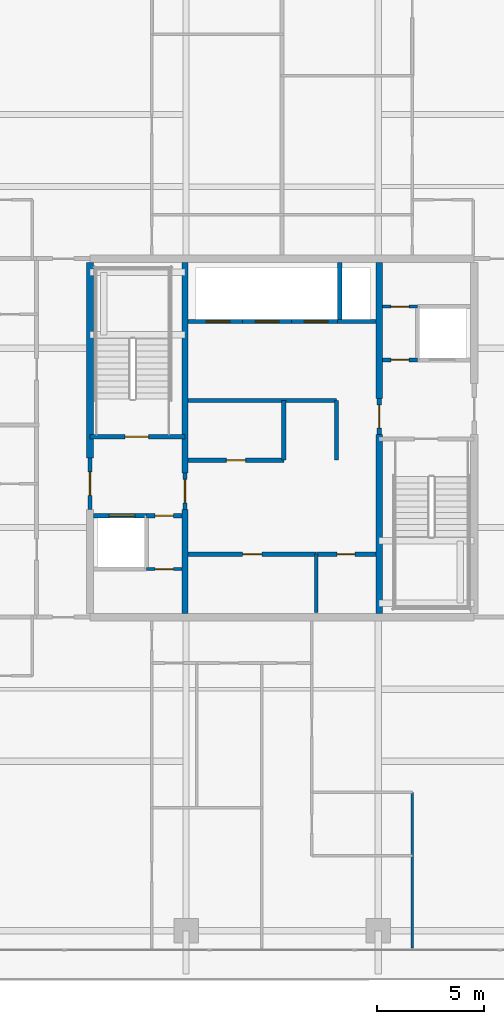
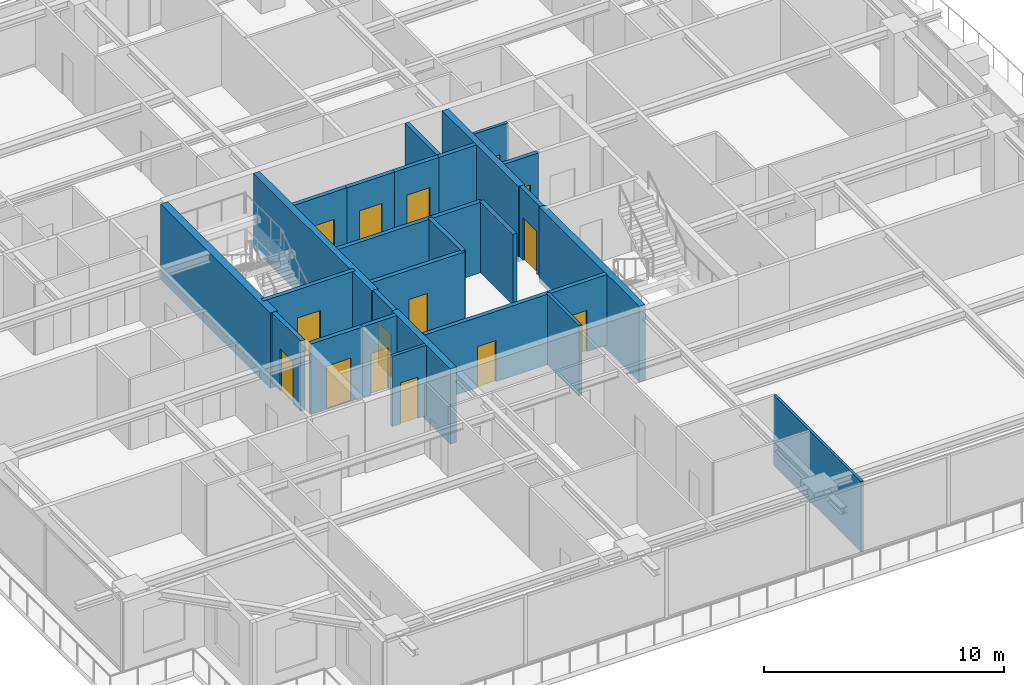
# One storey, part 27 of 37: 27 walls, 15 doors, 15 openings.
"""IFC4 building model written with IfcOpenShell, lengths in metres."""

import ifcopenshell
import ifcopenshell.guid

model = None  # the IFC model being written
_history = None  # IfcOwnerHistory: only IFC2X3 demands one
_inside = {}  # id of a spatial element -> (the spatial element, [elements in it])
_under = {}  # id of a project, library or spatial element -> (it, [spatial elements below it])
_declared = {}  # id of a project -> (the project, [libraries it declares])
_typed = {}  # id of a type object -> (the type object, [elements of that type])
_made_of = {}  # id of a material, layer set ... -> (it, [elements and type objects made of it])


def new_model(schema):
    """Start an empty IFC model of exactly this schema.

    Asked for "IFC4X3", IfcOpenShell would pick the latest addendum, in which some entities
    have other attributes; the version numbers below select the first issue.
    IFC2X3 requires an IfcOwnerHistory on every rooted entity: one is made here for all.
    """
    global model, _history
    if schema == "IFC4X3":
        model = ifcopenshell.file(schema_version=(4, 3, 0, 0))
    else:
        model = ifcopenshell.file(schema=schema)
    _inside.clear()
    _under.clear()
    _declared.clear()
    _typed.clear()
    _made_of.clear()
    _history = None
    if model.schema == "IFC2X3":
        org = make("IfcOrganization", Name="unknown")
        user = make(
            "IfcPersonAndOrganization",
            ThePerson=make("IfcPerson", FamilyName="unknown"),
            TheOrganization=org,
        )
        app = make(
            "IfcApplication",
            ApplicationDeveloper=org,
            Version="unknown",
            ApplicationFullName="unknown",
            ApplicationIdentifier="unknown",
        )
        _history = make(
            "IfcOwnerHistory",
            OwningUser=user,
            OwningApplication=app,
            ChangeAction="ADDED",
            CreationDate=0,
        )
    return model


def make(cls, **values):
    """One entity of the class cls with the attributes given. An attribute that is None is left unset."""
    return model.create_entity(
        cls, **{name: value for name, value in values.items() if value is not None}
    )


def rooted(cls, **values):
    """An entity with a GlobalId (a new one), such as an element, a storey or a relation."""
    return make(cls, GlobalId=ifcopenshell.guid.new(), OwnerHistory=_history, **values)


def si_unit(unit_type, name, prefix=None):
    """IfcSIUnit, for example si_unit("LENGTHUNIT", "METRE", prefix="MILLI")."""
    return make("IfcSIUnit", UnitType=unit_type, Prefix=prefix, Name=name)


def assignment(units):
    """IfcUnitAssignment: the units of a project."""
    return None if units is None else make("IfcUnitAssignment", Units=units)


def point(xyz):
    """IfcCartesianPoint."""
    return None if xyz is None else make("IfcCartesianPoint", Coordinates=xyz)


def direction(xyz):
    """IfcDirection."""
    return None if xyz is None else make("IfcDirection", DirectionRatios=xyz)


def frame(location, z_axis=None, x_axis=None):
    """IfcAxis2Placement3D, a coordinate frame: its origin and axes. An axis left out is left unset."""
    return make(
        "IfcAxis2Placement3D",
        Location=point(location),
        Axis=direction(z_axis),
        RefDirection=direction(x_axis),
    )


def frame_2d(location, x_axis=None):
    """IfcAxis2Placement2D, a coordinate frame in the plane: its origin and x axis."""
    return make(
        "IfcAxis2Placement2D", Location=point(location), RefDirection=direction(x_axis)
    )


def origin():
    """The frame at (0, 0, 0) with its axes left unset."""
    return frame((0.0, 0.0, 0.0))


def place(relative_to, where):
    """IfcLocalPlacement: puts the frame where relative to a parent placement (None: the world)."""
    return make(
        "IfcLocalPlacement", PlacementRelTo=relative_to, RelativePlacement=where
    )


def context(
    kind, dimensions, precision=None, world=None, true_north=None, identifier=None
):
    """IfcGeometricRepresentationContext, for example the 3D "Model" context."""
    return make(
        "IfcGeometricRepresentationContext",
        ContextIdentifier=identifier,
        ContextType=kind,
        CoordinateSpaceDimension=dimensions,
        Precision=precision,
        WorldCoordinateSystem=world,
        TrueNorth=true_north,
    )


def subcontext(parent, identifier, kind, view, scale=None):
    """IfcGeometricRepresentationSubContext, for example "Body" below "Model"."""
    return make(
        "IfcGeometricRepresentationSubContext",
        ContextIdentifier=identifier,
        ContextType=kind,
        ParentContext=parent,
        TargetScale=scale,
        TargetView=view,
    )


def project(units=None, contexts=None):
    """IfcProject with its units and contexts."""
    return rooted(
        "IfcProject",
        Name="project",
        RepresentationContexts=contexts,
        UnitsInContext=assignment(units),
    )


def spatial(cls, under=None, at=None, **own):
    """A site, building, storey or space (cls), placed at a placement, below another one or the project."""
    s = rooted(cls, ObjectPlacement=at, **own)
    if under is not None:
        _under.setdefault(under.id(), (under, []))[1].append(s)
    return s


def profile(cls, at=None, kind="AREA", **sizes):
    """A parametric profile (cls). Its sizes go by their IFC names, for example OverallWidth=200.0."""
    return make(cls, ProfileType=kind, Position=at, **sizes)


def rectangle(**sizes):
    """IfcRectangleProfileDef."""
    return profile("IfcRectangleProfileDef", **sizes)


def extrude(swept, where, along, depth):
    """IfcExtrudedAreaSolid: the profile swept, set in the frame where, extruded along a direction by depth."""
    return make(
        "IfcExtrudedAreaSolid",
        SweptArea=swept,
        Position=where,
        ExtrudedDirection=direction(along),
        Depth=depth,
    )


def shape(context_of_items, identifier, shape_type, items):
    """IfcShapeRepresentation: the items that make up one representation, for example the "Body"."""
    return make(
        "IfcShapeRepresentation",
        ContextOfItems=context_of_items,
        RepresentationIdentifier=identifier,
        RepresentationType=shape_type,
        Items=items,
    )


def source(mapping_origin, context_of_items, identifier, shape_type, items):
    """IfcRepresentationMap: a shape defined once, which mapped items show again and again."""
    return make(
        "IfcRepresentationMap",
        MappingOrigin=mapping_origin,
        MappedRepresentation=shape(context_of_items, identifier, shape_type, items),
    )


def transform(
    local_origin,
    x_axis=None,
    y_axis=None,
    z_axis=None,
    scale=None,
    scale2=None,
    scale3=None,
    uniform=True,
):
    """IfcCartesianTransformationOperator3D, or its non-uniform kind. x_axis, y_axis, z_axis: its Axis1, 2, 3."""
    if uniform:
        return make(
            "IfcCartesianTransformationOperator3D",
            Axis1=direction(x_axis),
            Axis2=direction(y_axis),
            LocalOrigin=point(local_origin),
            Scale=scale,
            Axis3=direction(z_axis),
        )
    return make(
        "IfcCartesianTransformationOperator3DnonUniform",
        Axis1=direction(x_axis),
        Axis2=direction(y_axis),
        LocalOrigin=point(local_origin),
        Scale=scale,
        Axis3=direction(z_axis),
        Scale2=scale2,
        Scale3=scale3,
    )


def mapped(mapping_source, mapping_target):
    """IfcMappedItem: shows the shape of a source again, moved by a transform."""
    return make(
        "IfcMappedItem", MappingSource=mapping_source, MappingTarget=mapping_target
    )


def material(Name=None, Category=None):
    """IfcMaterial."""
    return make("IfcMaterial", Name=Name, Category=Category)


def layer(
    of_material, thickness, ventilated=None, Name=None, Category=None, Priority=None
):
    """IfcMaterialLayer: one layer of a wall or slab, of a material (None: an air gap)."""
    return make(
        "IfcMaterialLayer",
        Material=of_material,
        LayerThickness=thickness,
        IsVentilated=ventilated,
        Name=Name,
        Category=Category,
        Priority=Priority,
    )


def layer_set(layers, Name=None):
    """IfcMaterialLayerSet."""
    return make("IfcMaterialLayerSet", MaterialLayers=layers, LayerSetName=Name)


def made_of(thing, what):
    """Note that an element or type object is made of a material, layer set ...; save() writes the relation."""
    if what is not None:
        _made_of.setdefault(what.id(), (what, []))[1].append(thing)
    return thing


def type_object(cls, material=None, **own):
    """A type object (cls), such as IfcWallType, which elements share."""
    return made_of(rooted(cls, **own), material)


def element(
    cls,
    number,
    at=None,
    inside=None,
    cuts=None,
    type_object=None,
    material=None,
    context=None,
    identifier="Body",
    shape_type=None,
    held_by="IfcProductDefinitionShape",
    body=None,
    shapes=None,
    **own,
):
    """One element of the class cls, such as IfcWall. Its Tag is "e" and its number.

    at: its placement. inside: the storey or other place that contains it. cuts: it is an
    opening in that element (IfcRelVoidsElement). A single representation is given by context,
    identifier, shape_type and body (its items); several are given by shapes. held_by: the class
    of the entity that holds the representations. save() writes the other relations.
    """
    e = rooted(cls, Tag="e%d" % number, ObjectPlacement=at, **own)
    if body is not None:
        shapes = [shape(context, identifier, shape_type, body)]
    if shapes is not None:
        e.Representation = make(held_by, Representations=shapes)
    if inside is not None:
        _inside.setdefault(inside.id(), (inside, []))[1].append(e)
    if cuts is not None:
        rooted(
            "IfcRelVoidsElement", RelatingBuildingElement=cuts, RelatedOpeningElement=e
        )
    if type_object is not None:
        _typed.setdefault(type_object.id(), (type_object, []))[1].append(e)
    return made_of(e, material)


def fill(opening, filler):
    """IfcRelFillsElement: the door or window that sits in an opening."""
    return rooted(
        "IfcRelFillsElement",
        RelatingOpeningElement=opening,
        RelatedBuildingElement=filler,
    )


def aggregate(whole, parts):
    """IfcRelAggregates: a whole, such as a stair, and the parts it consists of."""
    return rooted("IfcRelAggregates", RelatingObject=whole, RelatedObjects=parts)


def save(model, path):
    """Write the relations noted so far, then the file.

    IfcRelAggregates (storeys below a building ...), IfcRelContainedInSpatialStructure (elements
    in a storey), IfcRelDefinesByType, IfcRelAssociatesMaterial and IfcRelDeclares: one each for
    every whole, place, type object, material and project.
    """
    for whole, parts in _under.values():
        aggregate(whole, parts)
    for where, things in _inside.values():
        rooted(
            "IfcRelContainedInSpatialStructure",
            RelatedElements=things,
            RelatingStructure=where,
        )
    for kind, things in _typed.values():
        rooted("IfcRelDefinesByType", RelatedObjects=things, RelatingType=kind)
    for what, things in _made_of.values():
        rooted("IfcRelAssociatesMaterial", RelatedObjects=things, RelatingMaterial=what)
    for by, libraries in _declared.values():
        rooted("IfcRelDeclares", RelatingContext=by, RelatedDefinitions=libraries)
    model.write(path)


model = new_model("IFC4")

# Units and contexts
model_context = context("Model", 3, precision=1e-05, world=origin(), true_north=direction((0.0, 1.0)))
body_context = subcontext(model_context, "Body", "Model", "MODEL_VIEW")
ifc_project = project(units=[si_unit("LENGTHUNIT", "METRE"), si_unit("AREAUNIT", "SQUARE_METRE"), si_unit("VOLUMEUNIT", "CUBIC_METRE"), si_unit("PLANEANGLEUNIT", "RADIAN"), si_unit("MASSUNIT", "GRAM", prefix="KILO")], contexts=[model_context])

# Site, building, storey
site_placement = place(None, origin())
site = spatial("IfcSite", under=ifc_project, at=site_placement, CompositionType="ELEMENT")
building_placement = place(site_placement, origin())
building = spatial("IfcBuilding", under=site, at=building_placement, Name="Serunith Strait Residences", CompositionType="ELEMENT")
storey_placement = place(building_placement, frame((0.0, 0.0, 233.550048828125)))
storey = spatial("IfcBuildingStorey", under=building, at=storey_placement, Name="L58", CompositionType="ELEMENT", Elevation=233.550048828125)

# Wall, opening, door
ifc_material_1 = material(Name="Fire-rated masonry service closet wall", Category="masonry")
ifc_layer_1 = layer(ifc_material_1, 0.14990234375, Name="Fire-rated masonry service closet wall")
ifc_layer_set_1 = layer_set([ifc_layer_1], Name="Fire-rated masonry service closet wall")
wall_type_1 = type_object("IfcWallType", Name="IW-BOH-150", PredefinedType="PARTITIONING", material=ifc_layer_set_1)
wall_1_placement = place(storey_placement, frame((26.052001953125, 19.050048828125, 0.0), z_axis=(0.0, 0.0, 1.0), x_axis=(1.0, 0.0, 0.0)))
wall_1 = element("IfcWall", 1, at=wall_1_placement, inside=storey, type_object=wall_type_1, Name="L58 Partition Wall 011", PredefinedType="PARTITIONING", context=body_context, shape_type="SweptSolid", body=[
    extrude(rectangle(XDim=1.64794921875, YDim=0.14990234375, at=frame_2d((0.823974609375, 0.0))), origin(), (0.0, 0.0, 1.0), 3.58984375),
])
opening_1_placement = place(wall_1_placement, frame((0.39892578125, 0.0, 0.0)))
opening_1 = element("IfcOpeningElement", 2, at=opening_1_placement, cuts=wall_1, Name="Opening FD-850", PredefinedType="OPENING", context=body_context, shape_type="SweptSolid", body=[
    extrude(rectangle(XDim=0.85009765625, YDim=2.10009765625, at=frame_2d((0.425048828125, 1.050048828125))), frame((0.0, 0.0849609375, 0.0), z_axis=(0.0, -1.0, 0.0), x_axis=(1.0, 0.0, 0.0)), (0.0, 0.0, 1.0), 0.169921875),
])
ifc_material_2 = material(Name="Powder-coated steel service closet door", Category="steel")
door_type_1 = type_object("IfcDoorType", Name="FD-BOH-850", OperationType="NOTDEFINED", PredefinedType="DOOR", material=ifc_material_2)
shared_shape_1 = source(origin(), body_context, "Body", "SweptSolid", [
    extrude(rectangle(XDim=0.85009765625, YDim=2.10009765625, at=frame_2d((0.425048828125, 1.050048828125))), frame((0.0, 0.02490234375, 0.0), z_axis=(0.0, -1.0, 0.0), x_axis=(1.0, 0.0, 0.0)), (0.0, 0.0, 1.0), 0.050048828125),
])
door_1_placement = place(opening_1_placement, origin())
door_1 = element("IfcDoor", 3, at=door_1_placement, inside=storey, type_object=door_type_1, Name="L58 Water Meter Door", OperationType="SINGLE_SWING_LEFT", OverallHeight=2.10009765625, OverallWidth=0.85009765625, PredefinedType="DOOR", context=body_context, shape_type="MappedRepresentation", body=[
    mapped(shared_shape_1, transform((0.0, 0.0, 0.0), scale=1.0)),
])
fill(opening_1, door_1)

wall_2_placement = place(storey_placement, frame((37.10009765625, 31.35009765625, 0.0), z_axis=(0.0, 0.0, 1.0), x_axis=(1.0, 0.0, 0.0)))
wall_2 = element("IfcWall", 4, at=wall_2_placement, inside=storey, type_object=wall_type_1, Name="L58 Partition Wall 012", PredefinedType="PARTITIONING", context=body_context, shape_type="SweptSolid", body=[
    extrude(rectangle(XDim=1.64794921875, YDim=0.14990234375, at=frame_2d((0.823974609375, 0.0))), origin(), (0.0, 0.0, 1.0), 3.58984375),
])
opening_2_placement = place(wall_2_placement, frame((0.39892578125, 0.0, 0.0)))
opening_2 = element("IfcOpeningElement", 5, at=opening_2_placement, cuts=wall_2, Name="Opening FD-850", PredefinedType="OPENING", context=body_context, shape_type="SweptSolid", body=[
    extrude(rectangle(XDim=0.85009765625, YDim=2.10009765625, at=frame_2d((0.425048828125, 1.050048828125))), frame((0.0, 0.0849609375, 0.0), z_axis=(0.0, -1.0, 0.0), x_axis=(1.0, 0.0, 0.0)), (0.0, 0.0, 1.0), 0.169921875),
])
door_2_placement = place(opening_2_placement, origin())
door_2 = element("IfcDoor", 6, at=door_2_placement, inside=storey, type_object=door_type_1, Name="L58 Refuse Store Door", OperationType="SINGLE_SWING_RIGHT", OverallHeight=2.10009765625, OverallWidth=0.85009765625, PredefinedType="DOOR", context=body_context, shape_type="MappedRepresentation", body=[
    mapped(shared_shape_1, transform((0.0, 0.0, 0.0), scale=1.0)),
])
fill(opening_2, door_2)

# Walls
wall_3_placement = place(storey_placement, frame((34.0, 17.02001953125, 0.0), z_axis=(0.0, 0.0, 1.0), x_axis=(0.0, 1.0, 0.0)))
element("IfcWall", 7, at=wall_3_placement, inside=storey, type_object=wall_type_1, Name="L58 Partition Wall 015", PredefinedType="PARTITIONING", context=body_context, shape_type="SweptSolid", body=[
    extrude(rectangle(XDim=2.72998046875, YDim=0.14990234375, at=frame_2d((1.364990234375, 0.0))), origin(), (0.0, 0.0, 1.0), 3.58984375),
])
ifc_material_3 = material(Name="Lightweight steel-stud gypsum partition", Category="steel")
ifc_layer_2 = layer(ifc_material_3, 0.1201171875, Name="Lightweight steel-stud gypsum partition")
ifc_layer_set_2 = layer_set([ifc_layer_2], Name="Lightweight steel-stud gypsum partition")
wall_type_2 = type_object("IfcWallType", Name="IW-PART-120", PredefinedType="PARTITIONING", material=ifc_layer_set_2)
wall_4_placement = place(storey_placement, frame((38.5, 1.294921875, 0.0), z_axis=(0.0, 0.0, 1.0), x_axis=(0.0, 1.0, 0.0)))
element("IfcWall", 8, at=wall_4_placement, inside=storey, type_object=wall_type_2, Name="L58 Partition Wall 050", PredefinedType="PARTITIONING", context=body_context, shape_type="SweptSolid", body=[
    extrude(rectangle(XDim=7.29296875, YDim=0.1201171875, at=frame_2d((3.646484375, 0.0))), origin(), (0.0, 0.0, 1.0), 3.58984375),
])

# Wall, opening, door
ifc_material_4 = material(Name="Autoclaved aerated concrete blockwork", Category="masonry")
ifc_layer_3 = layer(ifc_material_4, 0.199951171875, Name="Autoclaved aerated concrete blockwork")
ifc_layer_set_3 = layer_set([ifc_layer_3], Name="Autoclaved aerated concrete blockwork")
wall_type_3 = type_object("IfcWallType", Name="IW-SHAFT-200", PredefinedType="STANDARD", material=ifc_layer_set_3)
wall_5_placement = place(storey_placement, frame((23.39990234375, 25.25, 0.0), z_axis=(0.0, 0.0, 1.0), x_axis=(1.0, 0.0, 0.0)))
wall_5 = element("IfcWall", 9, at=wall_5_placement, inside=storey, type_object=wall_type_3, Name="L58 ST-1 South Shaft Wall", PredefinedType="STANDARD", context=body_context, shape_type="SweptSolid", body=[
    extrude(rectangle(XDim=4.4501953125, YDim=0.199951171875, at=frame_2d((2.22509765625, 0.0))), origin(), (0.0, 0.0, 1.0), 3.58984375),
])
opening_3_placement = place(wall_5_placement, frame((1.64990234375, 0.0, 0.0)))
opening_3 = element("IfcOpeningElement", 10, at=opening_3_placement, cuts=wall_5, Name="Opening FD-1100", PredefinedType="OPENING", context=body_context, shape_type="SweptSolid", body=[
    extrude(rectangle(XDim=1.10009765625, YDim=2.14990234375, at=frame_2d((0.550048828125, 1.074951171875))), frame((0.0, 0.10986328125, 0.0), z_axis=(0.0, -1.0, 0.0), x_axis=(1.0, 0.0, 0.0)), (0.0, 0.0, 1.0), 0.219970703125),
])
ifc_material_5 = material(Name="Galvanised steel fire door leaf", Category="steel")
door_type_2 = type_object("IfcDoorType", Name="FD-STAIR-1100", OperationType="NOTDEFINED", PredefinedType="DOOR", material=ifc_material_5)
shared_shape_2 = source(origin(), body_context, "Body", "SweptSolid", [
    extrude(rectangle(XDim=1.10009765625, YDim=2.14990234375, at=frame_2d((0.550048828125, 1.074951171875))), frame((0.0, 0.02490234375, 0.0), z_axis=(0.0, -1.0, 0.0), x_axis=(1.0, 0.0, 0.0)), (0.0, 0.0, 1.0), 0.050048828125),
])
door_3_placement = place(opening_3_placement, origin())
door_3 = element("IfcDoor", 11, at=door_3_placement, inside=storey, type_object=door_type_2, Name="L58 ST-1 Escape Stair Door", OperationType="SINGLE_SWING_RIGHT", OverallHeight=2.14990234375, OverallWidth=1.10009765625, PredefinedType="DOOR", context=body_context, shape_type="MappedRepresentation", body=[
    mapped(shared_shape_2, transform((0.0, 0.0, 0.0), scale=1.0)),
])
fill(opening_3, door_3)

wall_6_placement = place(storey_placement, frame((23.574951171875, 21.550048828125, 0.0), z_axis=(0.0, 0.0, 1.0), x_axis=(1.0, 0.0, 0.0)))
wall_6 = element("IfcWall", 12, at=wall_6_placement, inside=storey, type_object=wall_type_3, Name="L58 FL-1 North Shaft Wall", PredefinedType="STANDARD", context=body_context, shape_type="SweptSolid", body=[
    extrude(rectangle(XDim=2.47509765625, YDim=0.199951171875, at=frame_2d((1.237548828125, 0.0))), origin(), (0.0, 0.0, 1.0), 3.58984375),
])
opening_4_placement = place(wall_6_placement, frame((0.72509765625, 0.0, 0.0)))
opening_4 = element("IfcOpeningElement", 13, at=opening_4_placement, cuts=wall_6, Name="Opening LD-FF1200", PredefinedType="OPENING", context=body_context, shape_type="SweptSolid", body=[
    extrude(rectangle(XDim=1.199951171875, YDim=2.199951171875, at=frame_2d((0.60009765625, 1.10009765625))), frame((0.0, 0.10986328125, 0.0), z_axis=(0.0, -1.0, 0.0), x_axis=(1.0, 0.0, 0.0)), (0.0, 0.0, 1.0), 0.219970703125),
])
ifc_material_6 = material(Name="Brushed stainless steel landing door", Category="steel")
door_type_3 = type_object("IfcDoorType", Name="LD-FF-1200", OperationType="DOUBLE_DOOR_SLIDING", PredefinedType="DOOR", material=ifc_material_6)
shared_shape_3 = source(origin(), body_context, "Body", "SweptSolid", [
    extrude(rectangle(XDim=1.199951171875, YDim=2.199951171875, at=frame_2d((0.60009765625, 1.10009765625))), frame((0.0, 0.02490234375, 0.0), z_axis=(0.0, -1.0, 0.0), x_axis=(1.0, 0.0, 0.0)), (0.0, 0.0, 1.0), 0.050048828125),
])
door_4_placement = place(opening_4_placement, origin())
door_4 = element("IfcDoor", 14, at=door_4_placement, inside=storey, type_object=door_type_3, Name="L58 FL-1 Landing Door", OperationType="DOUBLE_DOOR_SLIDING", OverallHeight=2.199951171875, OverallWidth=1.199951171875, PredefinedType="DOOR", context=body_context, shape_type="MappedRepresentation", body=[
    mapped(shared_shape_3, transform((0.0, 0.0, 0.0), scale=1.0)),
])
fill(opening_4, door_4)

wall_7_placement = place(storey_placement, frame((28.0, 30.64990234375, 0.0), z_axis=(0.0, 0.0, 1.0), x_axis=(1.0, 0.0, 0.0)))
wall_7 = element("IfcWall", 15, at=wall_7_placement, inside=storey, type_object=wall_type_3, Name="L58 PL-7 South Shaft Wall", PredefinedType="STANDARD", context=body_context, shape_type="SweptSolid", body=[
    extrude(rectangle(XDim=2.550048828125, YDim=0.199951171875, at=frame_2d((1.27490234375, 0.0))), origin(), (0.0, 0.0, 1.0), 3.58984375),
])
opening_5_placement = place(wall_7_placement, frame((0.85009765625, 0.0, 0.0)))
opening_5 = element("IfcOpeningElement", 16, at=opening_5_placement, cuts=wall_7, Name="Opening LD-1100", PredefinedType="OPENING", context=body_context, shape_type="SweptSolid", body=[
    extrude(rectangle(XDim=1.10009765625, YDim=2.199951171875, at=frame_2d((0.550048828125, 1.10009765625))), frame((0.0, 0.10986328125, 0.0), z_axis=(0.0, -1.0, 0.0), x_axis=(1.0, 0.0, 0.0)), (0.0, 0.0, 1.0), 0.219970703125),
])
ifc_material_7 = material(Name="Pale-champagne stainless landing door")
door_type_4 = type_object("IfcDoorType", Name="LD-LIFT-1100", OperationType="DOUBLE_DOOR_SLIDING", PredefinedType="DOOR", material=ifc_material_7)
shared_shape_4 = source(origin(), body_context, "Body", "SweptSolid", [
    extrude(rectangle(XDim=1.10009765625, YDim=2.199951171875, at=frame_2d((0.550048828125, 1.10009765625))), frame((0.0, 0.02490234375, 0.0), z_axis=(0.0, -1.0, 0.0), x_axis=(1.0, 0.0, 0.0)), (0.0, 0.0, 1.0), 0.050048828125),
])
door_5_placement = place(opening_5_placement, origin())
door_5 = element("IfcDoor", 17, at=door_5_placement, inside=storey, type_object=door_type_4, Name="L58 PL-7 Landing Door", OperationType="DOUBLE_DOOR_SLIDING", OverallHeight=2.199951171875, OverallWidth=1.10009765625, PredefinedType="DOOR", context=body_context, shape_type="MappedRepresentation", body=[
    mapped(shared_shape_4, transform((0.0, 0.0, 0.0), scale=1.0)),
])
fill(opening_5, door_5)

wall_8_placement = place(storey_placement, frame((30.550048828125, 30.64990234375, 0.0), z_axis=(0.0, 0.0, 1.0), x_axis=(1.0, 0.0, 0.0)))
wall_8 = element("IfcWall", 18, at=wall_8_placement, inside=storey, type_object=wall_type_3, Name="L58 PL-8 South Shaft Wall", PredefinedType="STANDARD", context=body_context, shape_type="SweptSolid", body=[
    extrude(rectangle(XDim=2.300048828125, YDim=0.199951171875, at=frame_2d((1.14990234375, 0.0))), origin(), (0.0, 0.0, 1.0), 3.58984375),
])
opening_6_placement = place(wall_8_placement, frame((0.60009765625, 0.0, 0.0)))
opening_6 = element("IfcOpeningElement", 19, at=opening_6_placement, cuts=wall_8, Name="Opening LD-1100", PredefinedType="OPENING", context=body_context, shape_type="SweptSolid", body=[
    extrude(rectangle(XDim=1.10009765625, YDim=2.199951171875, at=frame_2d((0.550048828125, 1.10009765625))), frame((0.0, 0.10986328125, 0.0), z_axis=(0.0, -1.0, 0.0), x_axis=(1.0, 0.0, 0.0)), (0.0, 0.0, 1.0), 0.219970703125),
])
door_6_placement = place(opening_6_placement, origin())
door_6 = element("IfcDoor", 20, at=door_6_placement, inside=storey, type_object=door_type_4, Name="L58 PL-8 Landing Door", OperationType="DOUBLE_DOOR_SLIDING", OverallHeight=2.199951171875, OverallWidth=1.10009765625, PredefinedType="DOOR", context=body_context, shape_type="MappedRepresentation", body=[
    mapped(shared_shape_4, transform((0.0, 0.0, 0.0), scale=1.0)),
])
fill(opening_6, door_6)

wall_9_placement = place(storey_placement, frame((32.85009765625, 30.64990234375, 0.0), z_axis=(0.0, 0.0, 1.0), x_axis=(1.0, 0.0, 0.0)))
wall_9 = element("IfcWall", 21, at=wall_9_placement, inside=storey, type_object=wall_type_3, Name="L58 PL-9 South Shaft Wall", PredefinedType="STANDARD", context=body_context, shape_type="SweptSolid", body=[
    extrude(rectangle(XDim=2.14990234375, YDim=0.199951171875, at=frame_2d((1.074951171875, 0.0))), origin(), (0.0, 0.0, 1.0), 3.58984375),
])
opening_7_placement = place(wall_9_placement, frame((0.60009765625, 0.0, 0.0)))
opening_7 = element("IfcOpeningElement", 22, at=opening_7_placement, cuts=wall_9, Name="Opening LD-1100", PredefinedType="OPENING", context=body_context, shape_type="SweptSolid", body=[
    extrude(rectangle(XDim=1.10009765625, YDim=2.199951171875, at=frame_2d((0.550048828125, 1.10009765625))), frame((0.0, 0.10986328125, 0.0), z_axis=(0.0, -1.0, 0.0), x_axis=(1.0, 0.0, 0.0)), (0.0, 0.0, 1.0), 0.219970703125),
])
door_7_placement = place(opening_7_placement, origin())
door_7 = element("IfcDoor", 23, at=door_7_placement, inside=storey, type_object=door_type_4, Name="L58 PL-9 Landing Door", OperationType="DOUBLE_DOOR_SLIDING", OverallHeight=2.199951171875, OverallWidth=1.10009765625, PredefinedType="DOOR", context=body_context, shape_type="MappedRepresentation", body=[
    mapped(shared_shape_4, transform((0.0, 0.0, 0.0), scale=1.0)),
])
fill(opening_7, door_7)

# Walls
wall_10_placement = place(storey_placement, frame((35.0, 30.64990234375, 0.0), z_axis=(0.0, 0.0, 1.0), x_axis=(1.0, 0.0, 0.0)))
element("IfcWall", 24, at=wall_10_placement, inside=storey, type_object=wall_type_3, Name="L58 SL-1 South Shaft Wall", PredefinedType="STANDARD", context=body_context, shape_type="SweptSolid", body=[
    extrude(rectangle(XDim=1.800048828125, YDim=0.199951171875, at=frame_2d((0.89990234375, 0.0))), origin(), (0.0, 0.0, 1.0), 3.58984375),
])
wall_11_placement = place(storey_placement, frame((35.10009765625, 30.75, 0.0), z_axis=(0.0, 0.0, 1.0), x_axis=(0.0, 1.0, 0.0)))
element("IfcWall", 25, at=wall_11_placement, inside=storey, type_object=wall_type_3, Name="L58 SL-1 West Shaft Wall", PredefinedType="STANDARD", context=body_context, shape_type="SweptSolid", body=[
    extrude(rectangle(XDim=2.675048828125, YDim=0.199951171875, at=frame_2d((1.33740234375, 0.0))), origin(), (0.0, 0.0, 1.0), 3.58984375),
])

# Wall, opening, door
wall_12_placement = place(storey_placement, frame((26.052001953125, 21.550048828125, 0.0), z_axis=(0.0, 0.0, 1.0), x_axis=(1.0, 0.0, 0.0)))
wall_12 = element("IfcWall", 26, at=wall_12_placement, inside=storey, type_object=wall_type_3, Name="L58 Partition Wall 003", PredefinedType="STANDARD", context=body_context, shape_type="SweptSolid", body=[
    extrude(rectangle(XDim=1.64794921875, YDim=0.199951171875, at=frame_2d((0.823974609375, 0.0))), origin(), (0.0, 0.0, 1.0), 3.58984375),
])
opening_8_placement = place(wall_12_placement, frame((0.39892578125, 0.0, 0.0)))
opening_8 = element("IfcOpeningElement", 27, at=opening_8_placement, cuts=wall_12, Name="Opening FD-850", PredefinedType="OPENING", context=body_context, shape_type="SweptSolid", body=[
    extrude(rectangle(XDim=0.85009765625, YDim=2.10009765625, at=frame_2d((0.425048828125, 1.050048828125))), frame((0.0, 0.10986328125, 0.0), z_axis=(0.0, -1.0, 0.0), x_axis=(1.0, 0.0, 0.0)), (0.0, 0.0, 1.0), 0.219970703125),
])
door_8_placement = place(opening_8_placement, origin())
door_8 = element("IfcDoor", 28, at=door_8_placement, inside=storey, type_object=door_type_1, Name="L58 South-West Core Service Door", OperationType="SINGLE_SWING_LEFT", OverallHeight=2.10009765625, OverallWidth=0.85009765625, PredefinedType="DOOR", context=body_context, shape_type="MappedRepresentation", body=[
    mapped(shared_shape_1, transform((0.0, 0.0, 0.0), scale=1.0)),
])
fill(opening_8, door_8)

wall_13_placement = place(storey_placement, frame((37.10009765625, 28.85009765625, 0.0), z_axis=(0.0, 0.0, 1.0), x_axis=(1.0, 0.0, 0.0)))
wall_13 = element("IfcWall", 29, at=wall_13_placement, inside=storey, type_object=wall_type_3, Name="L58 Partition Wall 006", PredefinedType="STANDARD", context=body_context, shape_type="SweptSolid", body=[
    extrude(rectangle(XDim=1.64794921875, YDim=0.199951171875, at=frame_2d((0.823974609375, 0.0))), origin(), (0.0, 0.0, 1.0), 3.58984375),
])
opening_9_placement = place(wall_13_placement, frame((0.39892578125, 0.0, 0.0)))
opening_9 = element("IfcOpeningElement", 30, at=opening_9_placement, cuts=wall_13, Name="Opening FD-850", PredefinedType="OPENING", context=body_context, shape_type="SweptSolid", body=[
    extrude(rectangle(XDim=0.85009765625, YDim=2.10009765625, at=frame_2d((0.425048828125, 1.050048828125))), frame((0.0, 0.10986328125, 0.0), z_axis=(0.0, -1.0, 0.0), x_axis=(1.0, 0.0, 0.0)), (0.0, 0.0, 1.0), 0.219970703125),
])
door_9_placement = place(opening_9_placement, origin())
door_9 = element("IfcDoor", 31, at=door_9_placement, inside=storey, type_object=door_type_1, Name="L58 North-East Core Service Door", OperationType="SINGLE_SWING_RIGHT", OverallHeight=2.10009765625, OverallWidth=0.85009765625, PredefinedType="DOOR", context=body_context, shape_type="MappedRepresentation", body=[
    mapped(shared_shape_1, transform((0.0, 0.0, 0.0), scale=1.0)),
])
fill(opening_9, door_9)

wall_14_placement = place(storey_placement, frame((23.39990234375, 21.85205078125, 0.0), z_axis=(0.0, 0.0, 1.0), x_axis=(0.0, 1.0, 0.0)))
wall_14 = element("IfcWall", 32, at=wall_14_placement, inside=storey, type_object=wall_type_3, Name="L58 Partition Wall 007", PredefinedType="STANDARD", context=body_context, shape_type="SweptSolid", body=[
    extrude(rectangle(XDim=2.39599609375, YDim=0.199951171875, at=frame_2d((1.197998046875, 0.0))), origin(), (0.0, 0.0, 1.0), 3.58984375),
])
opening_10_placement = place(wall_14_placement, frame((0.64794921875, 0.0, 0.0)))
opening_10 = element("IfcOpeningElement", 33, at=opening_10_placement, cuts=wall_14, Name="Opening FD-FFL", PredefinedType="OPENING", context=body_context, shape_type="SweptSolid", body=[
    extrude(rectangle(XDim=1.10009765625, YDim=2.14990234375, at=frame_2d((0.550048828125, 1.074951171875))), frame((0.0, 0.10986328125, 0.0), z_axis=(0.0, -1.0, 0.0), x_axis=(1.0, 0.0, 0.0)), (0.0, 0.0, 1.0), 0.219970703125),
])
ifc_material_8 = material(Name="Glazed steel smoke-lobby fire door", Category="steel")
door_type_5 = type_object("IfcDoorType", Name="FD-FFL-1100", OperationType="NOTDEFINED", PredefinedType="DOOR", material=ifc_material_8)
door_10_placement = place(opening_10_placement, origin())
door_10 = element("IfcDoor", 34, at=door_10_placement, inside=storey, type_object=door_type_5, Name="L58 FFL-1 Corridor Fire Door", OperationType="SINGLE_SWING_LEFT", OverallHeight=2.14990234375, OverallWidth=1.10009765625, PredefinedType="DOOR", context=body_context, shape_type="MappedRepresentation", body=[
    mapped(shared_shape_2, transform((0.0, 0.0, 0.0), scale=1.0)),
])
fill(opening_10, door_10)

wall_15_placement = place(storey_placement, frame((27.85009765625, 21.85205078125, 0.0), z_axis=(0.0, 0.0, 1.0), x_axis=(0.0, 1.0, 0.0)))
wall_15 = element("IfcWall", 35, at=wall_15_placement, inside=storey, type_object=wall_type_3, Name="L58 Partition Wall 009", PredefinedType="STANDARD", context=body_context, shape_type="SweptSolid", body=[
    extrude(rectangle(XDim=1.696044921875, YDim=0.199951171875, at=frame_2d((0.84814453125, 0.0))), origin(), (0.0, 0.0, 1.0), 3.58984375),
])
opening_11_placement = place(wall_15_placement, frame((0.298095703125, 0.0, 0.0)))
opening_11 = element("IfcOpeningElement", 36, at=opening_11_placement, cuts=wall_15, Name="Opening FD-FFL", PredefinedType="OPENING", context=body_context, shape_type="SweptSolid", body=[
    extrude(rectangle(XDim=1.10009765625, YDim=2.14990234375, at=frame_2d((0.550048828125, 1.074951171875))), frame((0.0, 0.10986328125, 0.0), z_axis=(0.0, -1.0, 0.0), x_axis=(1.0, 0.0, 0.0)), (0.0, 0.0, 1.0), 0.219970703125),
])
door_11_placement = place(opening_11_placement, origin())
door_11 = element("IfcDoor", 37, at=door_11_placement, inside=storey, type_object=door_type_5, Name="L58 FFL-1 Lift Lobby Door", OperationType="SINGLE_SWING_LEFT", OverallHeight=2.14990234375, OverallWidth=1.10009765625, PredefinedType="DOOR", context=body_context, shape_type="MappedRepresentation", body=[
    mapped(shared_shape_2, transform((0.0, 0.0, 0.0), scale=1.0)),
])
fill(opening_11, door_11)

wall_16_placement = place(storey_placement, frame((36.949951171875, 25.35205078125, 0.0), z_axis=(0.0, 0.0, 1.0), x_axis=(0.0, 1.0, 0.0)))
wall_16 = element("IfcWall", 38, at=wall_16_placement, inside=storey, type_object=wall_type_3, Name="L58 Partition Wall 010", PredefinedType="STANDARD", context=body_context, shape_type="SweptSolid", body=[
    extrude(rectangle(XDim=1.696044921875, YDim=0.199951171875, at=frame_2d((0.84814453125, 0.0))), origin(), (0.0, 0.0, 1.0), 3.58984375),
])
opening_12_placement = place(wall_16_placement, frame((0.298095703125, 0.0, 0.0)))
opening_12 = element("IfcOpeningElement", 39, at=opening_12_placement, cuts=wall_16, Name="Opening FD-FFL", PredefinedType="OPENING", context=body_context, shape_type="SweptSolid", body=[
    extrude(rectangle(XDim=1.10009765625, YDim=2.14990234375, at=frame_2d((0.550048828125, 1.074951171875))), frame((0.0, 0.10986328125, 0.0), z_axis=(0.0, -1.0, 0.0), x_axis=(1.0, 0.0, 0.0)), (0.0, 0.0, 1.0), 0.219970703125),
])
door_12_placement = place(opening_12_placement, origin())
door_12 = element("IfcDoor", 40, at=door_12_placement, inside=storey, type_object=door_type_5, Name="L58 FFL-2 Lift Lobby Door", OperationType="SINGLE_SWING_RIGHT", OverallHeight=2.14990234375, OverallWidth=1.10009765625, PredefinedType="DOOR", context=body_context, shape_type="MappedRepresentation", body=[
    mapped(shared_shape_2, transform((0.0, 0.0, 0.0), scale=1.0)),
])
fill(opening_12, door_12)

wall_17_placement = place(storey_placement, frame((28.0, 19.75, 0.0), z_axis=(0.0, 0.0, 1.0), x_axis=(1.0, 0.0, 0.0)))
wall_17 = element("IfcWall", 41, at=wall_17_placement, inside=storey, type_object=wall_type_3, Name="L58 Partition Wall 013", PredefinedType="STANDARD", context=body_context, shape_type="SweptSolid", body=[
    extrude(rectangle(XDim=6.0, YDim=0.199951171875, at=frame_2d((3.0, 0.0))), origin(), (0.0, 0.0, 1.0), 3.58984375),
])
opening_13_placement = place(wall_17_placement, frame((2.550048828125, 0.0, 0.0)))
opening_13 = element("IfcOpeningElement", 42, at=opening_13_placement, cuts=wall_17, Name="Opening FD-900", PredefinedType="OPENING", context=body_context, shape_type="SweptSolid", body=[
    extrude(rectangle(XDim=0.89990234375, YDim=2.10009765625, at=frame_2d((0.449951171875, 1.050048828125))), frame((0.0, 0.10986328125, 0.0), z_axis=(0.0, -1.0, 0.0), x_axis=(1.0, 0.0, 0.0)), (0.0, 0.0, 1.0), 0.219970703125),
])
ifc_material_9 = material(Name="Powder-coated steel riser door", Category="steel")
door_type_6 = type_object("IfcDoorType", Name="FD-BOH-900", OperationType="NOTDEFINED", PredefinedType="DOOR", material=ifc_material_9)
shared_shape_5 = source(origin(), body_context, "Body", "SweptSolid", [
    extrude(rectangle(XDim=0.89990234375, YDim=2.10009765625, at=frame_2d((0.449951171875, 1.050048828125))), frame((0.0, 0.02490234375, 0.0), z_axis=(0.0, -1.0, 0.0), x_axis=(1.0, 0.0, 0.0)), (0.0, 0.0, 1.0), 0.050048828125),
])
door_13_placement = place(opening_13_placement, origin())
door_13 = element("IfcDoor", 43, at=door_13_placement, inside=storey, type_object=door_type_6, Name="L58 Telecoms Comms Door", OperationType="SINGLE_SWING_LEFT", OverallHeight=2.10009765625, OverallWidth=0.89990234375, PredefinedType="DOOR", context=body_context, shape_type="MappedRepresentation", body=[
    mapped(shared_shape_5, transform((0.0, 0.0, 0.0), scale=1.0)),
])
fill(opening_13, door_13)

wall_18_placement = place(storey_placement, frame((34.001953125, 19.75, 0.0), z_axis=(0.0, 0.0, 1.0), x_axis=(1.0, 0.0, 0.0)))
wall_18 = element("IfcWall", 44, at=wall_18_placement, inside=storey, type_object=wall_type_3, Name="L58 Partition Wall 014", PredefinedType="STANDARD", context=body_context, shape_type="SweptSolid", body=[
    extrude(rectangle(XDim=2.798095703125, YDim=0.199951171875, at=frame_2d((1.39892578125, 0.0))), origin(), (0.0, 0.0, 1.0), 3.58984375),
])
opening_14_placement = place(wall_18_placement, frame((0.97412109375, 0.0, 0.0)))
opening_14 = element("IfcOpeningElement", 45, at=opening_14_placement, cuts=wall_18, Name="Opening FD-850", PredefinedType="OPENING", context=body_context, shape_type="SweptSolid", body=[
    extrude(rectangle(XDim=0.85009765625, YDim=2.10009765625, at=frame_2d((0.425048828125, 1.050048828125))), frame((0.0, 0.10986328125, 0.0), z_axis=(0.0, -1.0, 0.0), x_axis=(1.0, 0.0, 0.0)), (0.0, 0.0, 1.0), 0.219970703125),
])
door_14_placement = place(opening_14_placement, origin())
door_14 = element("IfcDoor", 46, at=door_14_placement, inside=storey, type_object=door_type_1, Name="L58 Floor Linen Closet Door", OperationType="SINGLE_SWING_RIGHT", OverallHeight=2.10009765625, OverallWidth=0.85009765625, PredefinedType="DOOR", context=body_context, shape_type="MappedRepresentation", body=[
    mapped(shared_shape_1, transform((0.0, 0.0, 0.0), scale=1.0)),
])
fill(opening_14, door_14)

# Walls
wall_19_placement = place(storey_placement, frame((28.0, 26.949951171875, 0.0), z_axis=(0.0, 0.0, 1.0), x_axis=(1.0, 0.0, 0.0)))
element("IfcWall", 47, at=wall_19_placement, inside=storey, type_object=wall_type_3, Name="L58 Partition Wall 016", PredefinedType="STANDARD", context=body_context, shape_type="SweptSolid", body=[
    extrude(rectangle(XDim=6.949951171875, YDim=0.199951171875, at=frame_2d((3.47509765625, 0.0))), origin(), (0.0, 0.0, 1.0), 3.58984375),
])
wall_20_placement = place(storey_placement, frame((34.949951171875, 24.14990234375, 0.0), z_axis=(0.0, 0.0, 1.0), x_axis=(0.0, 1.0, 0.0)))
element("IfcWall", 48, at=wall_20_placement, inside=storey, type_object=wall_type_3, Name="L58 Partition Wall 017", PredefinedType="STANDARD", context=body_context, shape_type="SweptSolid", body=[
    extrude(rectangle(XDim=2.800048828125, YDim=0.199951171875, at=frame_2d((1.39990234375, 0.0))), origin(), (0.0, 0.0, 1.0), 3.58984375),
])

# Wall, opening, door
wall_21_placement = place(storey_placement, frame((28.0, 24.14990234375, 0.0), z_axis=(0.0, 0.0, 1.0), x_axis=(1.0, 0.0, 0.0)))
wall_21 = element("IfcWall", 49, at=wall_21_placement, inside=storey, type_object=wall_type_3, Name="L58 Partition Wall 018", PredefinedType="STANDARD", context=body_context, shape_type="SweptSolid", body=[
    extrude(rectangle(XDim=4.47998046875, YDim=0.199951171875, at=frame_2d((2.239990234375, 0.0))), origin(), (0.0, 0.0, 1.0), 3.58984375),
])
opening_15_placement = place(wall_21_placement, frame((1.7900390625, 0.0, 0.0)))
opening_15 = element("IfcOpeningElement", 50, at=opening_15_placement, cuts=wall_21, Name="Opening FD-900", PredefinedType="OPENING", context=body_context, shape_type="SweptSolid", body=[
    extrude(rectangle(XDim=0.89990234375, YDim=2.10009765625, at=frame_2d((0.449951171875, 1.050048828125))), frame((0.0, 0.10986328125, 0.0), z_axis=(0.0, -1.0, 0.0), x_axis=(1.0, 0.0, 0.0)), (0.0, 0.0, 1.0), 0.219970703125),
])
door_15_placement = place(opening_15_placement, origin())
door_15 = element("IfcDoor", 51, at=door_15_placement, inside=storey, type_object=door_type_6, Name="L58 Equipment Store Door", OperationType="SINGLE_SWING_LEFT", OverallHeight=2.10009765625, OverallWidth=0.89990234375, PredefinedType="DOOR", context=body_context, shape_type="MappedRepresentation", body=[
    mapped(shared_shape_5, transform((0.0, 0.0, 0.0), scale=1.0)),
])
fill(opening_15, door_15)

# Walls
wall_22_placement = place(storey_placement, frame((32.47998046875, 24.14990234375, 0.0), z_axis=(0.0, 0.0, 1.0), x_axis=(0.0, 1.0, 0.0)))
element("IfcWall", 52, at=wall_22_placement, inside=storey, type_object=wall_type_3, Name="L58 Partition Wall 019", PredefinedType="STANDARD", context=body_context, shape_type="SweptSolid", body=[
    extrude(rectangle(XDim=2.800048828125, YDim=0.199951171875, at=frame_2d((1.39990234375, 0.0))), origin(), (0.0, 0.0, 1.0), 3.58984375),
])
ifc_material_10 = material(Name="Concrete C60/75", Category="concrete")
ifc_layer_4 = layer(ifc_material_10, 0.300048828125, Name="Concrete C60/75")
ifc_layer_set_4 = layer_set([ifc_layer_4], Name="Concrete C60/75")
wall_type_4 = type_object("IfcWallType", Name="SW-300-C60", PredefinedType="SHEAR", material=ifc_layer_set_4)
wall_23_placement = place(storey_placement, frame((27.85009765625, 16.97509765625, -0.260009765625), z_axis=(0.0, 0.0, 1.0), x_axis=(0.0, 1.0, 0.0)))
element("IfcWall", 53, at=wall_23_placement, inside=storey, type_object=wall_type_4, Name="L58 Core Internal West Web South Pier", PredefinedType="SHEAR", context=body_context, shape_type="SweptSolid", body=[
    extrude(rectangle(XDim=4.875, YDim=0.300048828125, at=frame_2d((2.4375, 0.0))), origin(), (0.0, 0.0, 1.0), 3.847900390625),
])
wall_24_placement = place(storey_placement, frame((27.85009765625, 23.550048828125, -0.260009765625), z_axis=(0.0, 0.0, 1.0), x_axis=(0.0, 1.0, 0.0)))
element("IfcWall", 54, at=wall_24_placement, inside=storey, type_object=wall_type_4, Name="L58 Core Internal West Web North Pier", PredefinedType="SHEAR", context=body_context, shape_type="SweptSolid", body=[
    extrude(rectangle(XDim=9.875, YDim=0.300048828125, at=frame_2d((4.9375, 0.0))), origin(), (0.0, 0.0, 1.0), 3.847900390625),
])
wall_25_placement = place(storey_placement, frame((36.949951171875, 16.97509765625, -0.260009765625), z_axis=(0.0, 0.0, 1.0), x_axis=(0.0, 1.0, 0.0)))
element("IfcWall", 55, at=wall_25_placement, inside=storey, type_object=wall_type_4, Name="L58 Core Internal East Web South Pier", PredefinedType="SHEAR", context=body_context, shape_type="SweptSolid", body=[
    extrude(rectangle(XDim=8.375, YDim=0.300048828125, at=frame_2d((4.1875, 0.0))), origin(), (0.0, 0.0, 1.0), 3.847900390625),
])
wall_26_placement = place(storey_placement, frame((36.949951171875, 27.050048828125, -0.260009765625), z_axis=(0.0, 0.0, 1.0), x_axis=(0.0, 1.0, 0.0)))
element("IfcWall", 56, at=wall_26_placement, inside=storey, type_object=wall_type_4, Name="L58 Core Internal East Web North Pier", PredefinedType="SHEAR", context=body_context, shape_type="SweptSolid", body=[
    extrude(rectangle(XDim=6.375, YDim=0.300048828125, at=frame_2d((3.1875, 0.0))), origin(), (0.0, 0.0, 1.0), 3.847900390625),
])
ifc_layer_5 = layer(ifc_material_10, 0.35009765625, Name="Concrete C60/75")
ifc_layer_set_5 = layer_set([ifc_layer_5], Name="Concrete C60/75")
wall_type_5 = type_object("IfcWallType", Name="SW-350-C60", PredefinedType="SHEAR", material=ifc_layer_set_5)
wall_27_placement = place(storey_placement, frame((23.39990234375, 24.25, -0.260009765625), z_axis=(0.0, 0.0, 1.0), x_axis=(0.0, 1.0, 0.0)))
element("IfcWall", 57, at=wall_27_placement, inside=storey, type_object=wall_type_5, Name="L58 Core West Shear Wall North Pier", PredefinedType="SHEAR", context=body_context, shape_type="SweptSolid", body=[
    extrude(rectangle(XDim=9.175048828125, YDim=0.35009765625, at=frame_2d((4.58740234375, 0.0))), origin(), (0.0, 0.0, 1.0), 3.847900390625),
])

save(model, "model.ifc")
